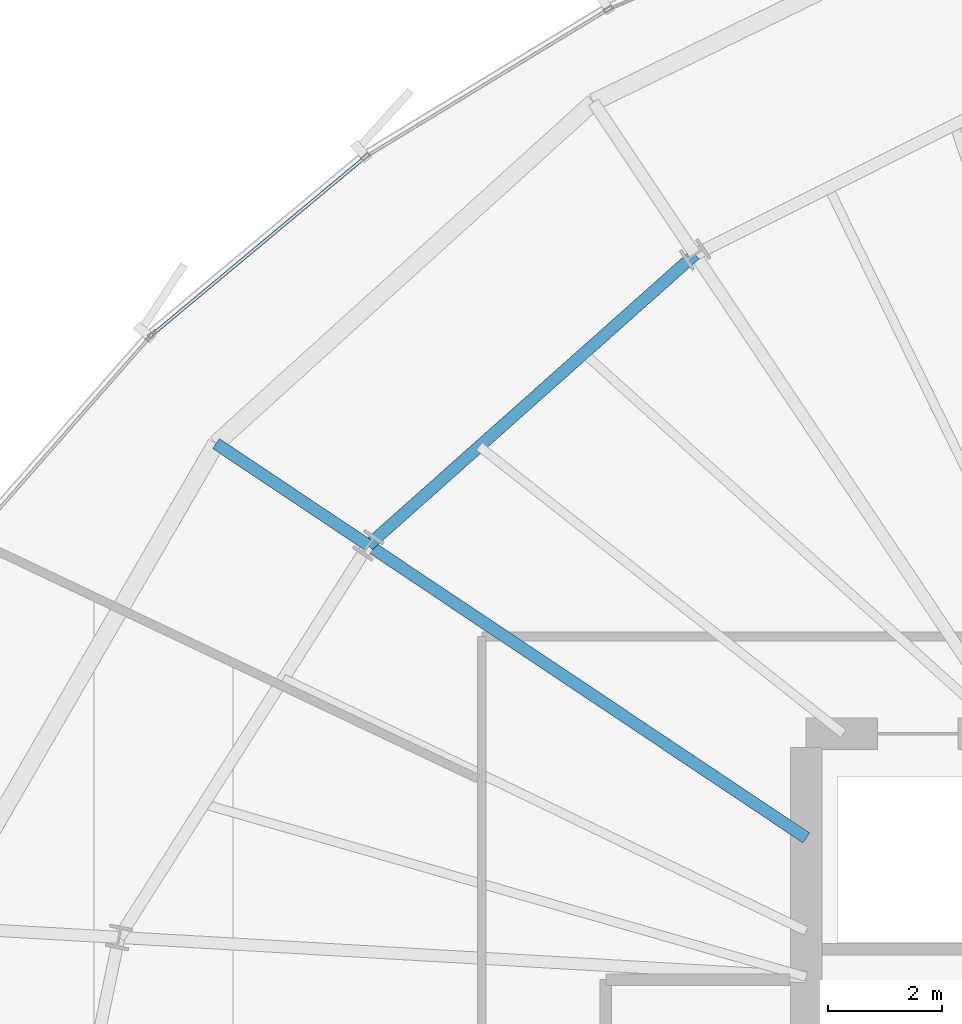
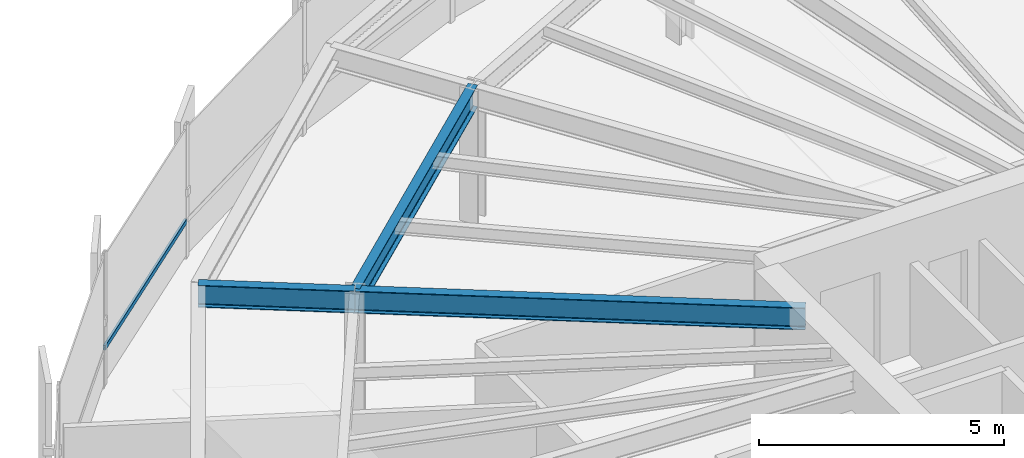
# One storey, part 18 of 33: 3 beams, 1 member, 1 element without a shape of its own.
"""IFC4 building model written with IfcOpenShell, lengths in metres."""

from ifc_helpers import new_model, si_unit, direction, frame, origin, origin_2d, place, context, subcontext, project, spatial, hollow_rectangle, i_section, extrude, source, transform, mapped, material, layer, layer_set, material_profile, profile_set, type_object, element, aggregate, save


model = new_model("IFC4")

# Units and contexts
model_context = context("Model", 3, precision=1e-05, world=origin(), true_north=direction((0.0, 1.0)))
body_context = subcontext(model_context, "Body", "Model", "MODEL_VIEW")
ifc_project = project(units=[si_unit("LENGTHUNIT", "METRE"), si_unit("AREAUNIT", "SQUARE_METRE"), si_unit("VOLUMEUNIT", "CUBIC_METRE"), si_unit("PLANEANGLEUNIT", "RADIAN"), si_unit("MASSUNIT", "GRAM", prefix="KILO"), si_unit("THERMODYNAMICTEMPERATUREUNIT", "KELVIN")], contexts=[model_context])

# Site, building, storey
site_placement = place(None, origin())
site = spatial("IfcSite", under=ifc_project, at=site_placement, CompositionType="ELEMENT")
building_placement = place(site_placement, origin())
building = spatial("IfcBuilding", under=site, at=building_placement, Name="Kethvar Cultural Tower", CompositionType="ELEMENT")
storey_placement = place(building_placement, frame((0.0, 0.0, 110.800048828125)))
storey = spatial("IfcBuildingStorey", under=building, at=storey_placement, Name="L27", CompositionType="ELEMENT", Elevation=110.800048828125)

# Beams
ifc_material_1 = material(Name="Steel S355J2", Category="steel")
ifc_material_profile_1 = material_profile(ifc_material_1, i_section(OverallWidth=0.2099609375, OverallDepth=0.550048828125, WebThickness=0.010986328125, FlangeThickness=0.01708984375, FilletRadius=0.02392578125, at=origin_2d()), Name="Steel S355J2 — IPE550")
ifc_profile_set_1 = profile_set([ifc_material_profile_1], Name="Steel S355J2 — IPE550")
beam_type = type_object("IfcBeamType", Name="BM-IPE550", PredefinedType="BEAM", material=ifc_profile_set_1)
shared_shape_1 = source(origin(), body_context, "Body", "SweptSolid", [
    extrude(i_section(OverallWidth=0.2099609375, OverallDepth=0.550048828125, WebThickness=0.010986328125, FlangeThickness=0.01708984375, FilletRadius=0.02392578125, at=origin_2d()), origin(), (0.0, 0.0, 1.0), 3.199951171875),
])
beam_1_placement = place(storey_placement, frame((30.345947265625, 38.794189453125, 3.072998046875), z_axis=(-0.831462943996, 0.555580212716, 0.0), x_axis=(-0.555580212716, -0.831462943996, 0.0)))
element("IfcBeam", 1, at=beam_1_placement, inside=storey, type_object=beam_type, Name="L27 Perimeter Cantilever Beam RC-07", PredefinedType="BEAM", context=body_context, shape_type="MappedRepresentation", body=[
    mapped(shared_shape_1, transform((0.0, 0.0, 0.0), scale=1.0)),
])
shared_shape_2 = source(origin(), body_context, "Body", "SweptSolid", [
    extrude(i_section(OverallWidth=0.2099609375, OverallDepth=0.550048828125, WebThickness=0.010986328125, FlangeThickness=0.01708984375, FilletRadius=0.02392578125, at=origin_2d()), origin(), (0.0, 0.0, 1.0), 9.205322265625),
])
beam_2_placement = place(storey_placement, frame((38.0, 33.679931640625, 3.072998046875), z_axis=(-0.831470451236, 0.555568977465, 0.0), x_axis=(-0.555568977465, -0.831470451236, 0.0)))
element("IfcBeam", 2, at=beam_2_placement, inside=storey, type_object=beam_type, Name="L27 Primary Radial Beam RB-07", PredefinedType="BEAM", context=body_context, shape_type="MappedRepresentation", body=[
    mapped(shared_shape_2, transform((0.0, 0.0, 0.0), scale=1.0)),
])
shared_shape_3 = source(origin(), body_context, "Body", "SweptSolid", [
    extrude(i_section(OverallWidth=0.2099609375, OverallDepth=0.550048828125, WebThickness=0.010986328125, FlangeThickness=0.01708984375, FilletRadius=0.02392578125, at=origin_2d()), origin(), (0.0, 0.0, 1.0), 7.64599609375),
])
beam_3_placement = place(storey_placement, frame((36.0576171875, 43.877197265625, 3.072998046875), z_axis=(-0.747021617367, -0.66479974668, 0.0), x_axis=(0.66479974668, -0.747021617367, 0.0)))
element("IfcBeam", 3, at=beam_3_placement, inside=storey, type_object=beam_type, Name="L27 Column Ring Tie Beam CR-06", PredefinedType="BEAM", context=body_context, shape_type="MappedRepresentation", body=[
    mapped(shared_shape_3, transform((0.0, 0.0, 0.0), scale=1.0)),
])

# Curtain wall, member
ifc_material_2 = material(Name="Aluminium 6063-T6", Category="aluminium")
ifc_layer = layer(ifc_material_2, 0.179931640625, Name="Aluminium 6063-T6", Category="aluminium")
ifc_layer_set = layer_set([ifc_layer], Name="Aluminium 6063-T6 (180 mm)")
curtain_wall_type = type_object("IfcCurtainWallType", Name="CW-SYS-03-Z2", PredefinedType="NOTDEFINED", material=ifc_layer_set)
curtain_wall_placement = place(storey_placement, origin())
curtain_wall = element("IfcCurtainWall", 4, at=curtain_wall_placement, inside=storey, type_object=curtain_wall_type, Name="L27 Curtain Wall Run 02", PredefinedType="NOTDEFINED")
ifc_material_profile_2 = material_profile(ifc_material_2, hollow_rectangle(XDim=0.054931640625, YDim=0.1201171875, WallThickness=0.00390625, at=origin_2d()), Name="Aluminium 6063-T6 — RHS120x55x4")
ifc_profile_set_2 = profile_set([ifc_material_profile_2], Name="Aluminium 6063-T6 — RHS120x55x4")
member_type = type_object("IfcMemberType", Name="CW-SYS-03-Z2-TRN", PredefinedType="USERDEFINED", material=ifc_profile_set_2)
shared_shape_4 = source(origin(), body_context, "Body", "SweptSolid", [
    extrude(hollow_rectangle(XDim=0.054931640625, YDim=0.1201171875, WallThickness=0.00390625, at=origin_2d()), origin(), (0.0, 0.0, 1.0), 4.804931640625),
])
member_placement = place(storey_placement, frame((30.26611328125, 45.557373046875, 0.949951171875), z_axis=(-0.768038000367, -0.640404270748, 0.0), x_axis=(0.640404270748, -0.768038000367, 0.0)))
member = element("IfcMember", 5, at=member_placement, type_object=member_type, Name="CW-L27-R02 Transom 6", ObjectType="TRANSOM", PredefinedType="USERDEFINED", context=body_context, shape_type="MappedRepresentation", body=[
    mapped(shared_shape_4, transform((0.0, 0.0, 0.0), scale=1.0)),
])
aggregate(curtain_wall, [member])

save(model, "model.ifc")
